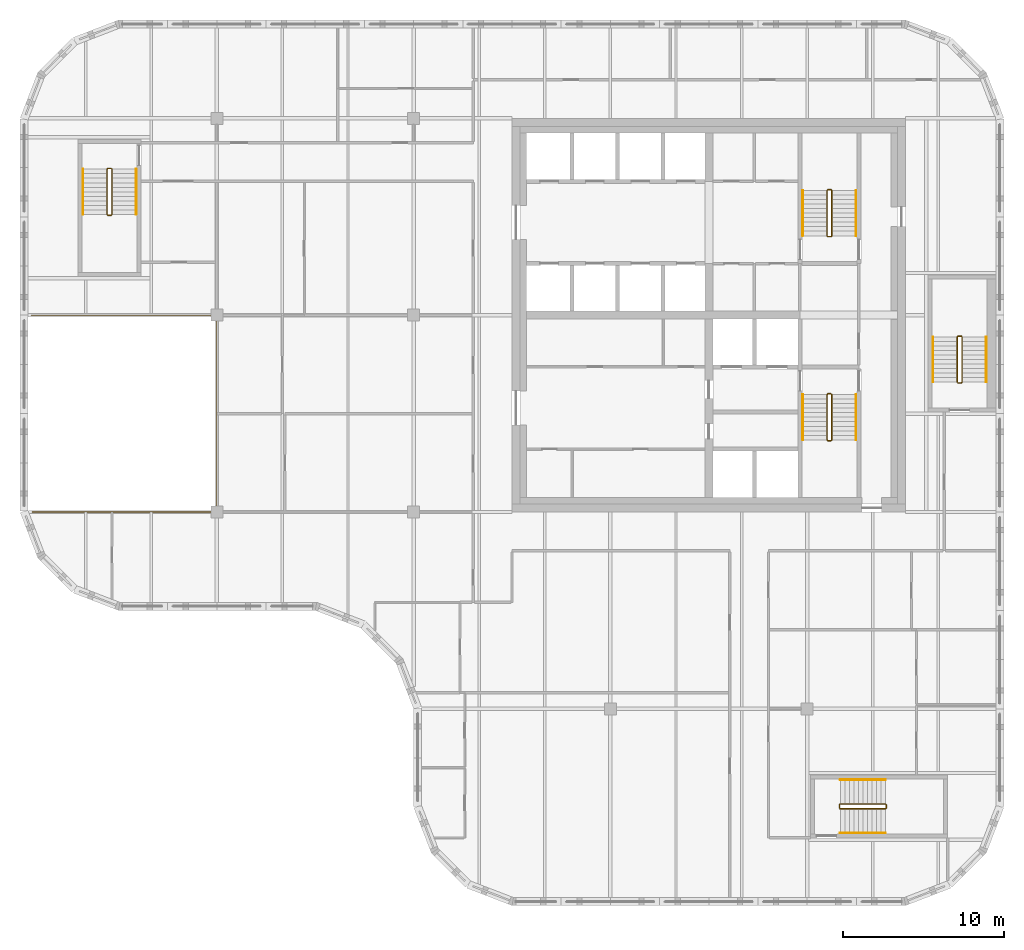
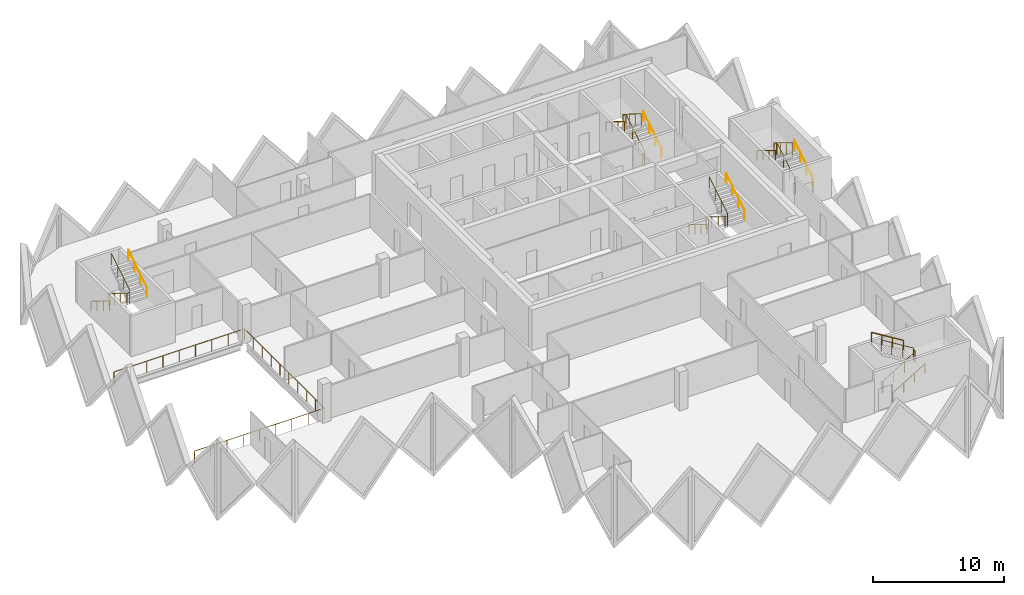
# One storey, part 12 of 12: 16 railings.
"""IFC4 building model written with IfcOpenShell, lengths in metres."""

from ifc_helpers import new_model, si_unit, direction, frame, origin, origin_2d, place, context, subcontext, project, spatial, circle, extrude, material, type_object, element, save


model = new_model("IFC4")

# Units and contexts
model_context = context("Model", 3, precision=1e-05, world=origin(), true_north=direction((0.0, 1.0)))
body_context = subcontext(model_context, "Body", "Model", "MODEL_VIEW")
ifc_project = project(units=[si_unit("LENGTHUNIT", "METRE"), si_unit("AREAUNIT", "SQUARE_METRE"), si_unit("VOLUMEUNIT", "CUBIC_METRE"), si_unit("PLANEANGLEUNIT", "RADIAN"), si_unit("MASSUNIT", "GRAM", prefix="KILO")], contexts=[model_context])

# Site, building, storey
site_placement = place(None, origin())
site = spatial("IfcSite", under=ifc_project, at=site_placement, CompositionType="ELEMENT")
building_placement = place(site_placement, origin())
building = spatial("IfcBuilding", under=site, at=building_placement, Name="Tessera Gate Towers", CompositionType="ELEMENT")
storey_placement = place(building_placement, frame((0.0, 0.0, 213.10009765625)))
storey = spatial("IfcBuildingStorey", under=building, at=storey_placement, Name="L53", CompositionType="ELEMENT", Elevation=213.10009765625)

# Railings
ifc_material_1 = material(Name="Toughened glass with stainless steel handrail", Category="steel")
railing_type_1 = type_object("IfcRailingType", Name="GUARD 1100 GLASS BALUSTRADE", PredefinedType="GUARDRAIL", material=ifc_material_1)
railing_1_placement = place(storey_placement, frame((0.750244140625, 24.39990234375, 0.0)))
element("IfcRailing", 1, at=railing_1_placement, inside=storey, type_object=railing_type_1, Name="Guard", PredefinedType="GUARDRAIL", context=body_context, shape_type="SweptSolid", body=[
    extrude(circle(Radius=0.02490234375, at=origin_2d()), frame((0.0, 0.0, 1.0751953125), z_axis=(1.0, 0.0, 0.0), x_axis=(0.0, 1.0, 0.0)), (0.0, 0.0, 1.0), 11.44970703125),
    extrude(circle(Radius=0.02490234375, at=origin_2d()), frame((11.44970703125, 0.0, 1.0751953125), z_axis=(0.0, 1.0, 0.0), x_axis=(-1.0, 0.0, 0.0)), (0.0, 0.0, 1.0), 12.2001953125),
    extrude(circle(Radius=0.02490234375, at=origin_2d()), frame((11.44970703125, 12.2001953125, 1.0751953125), z_axis=(-1.0, 0.0, 0.0), x_axis=(0.0, -1.0, 0.0)), (0.0, 0.0, 1.0), 11.5),
    extrude(circle(Radius=0.02490234375, at=origin_2d()), origin(), (0.0, 0.0, 1.0), 1.050048828125),
    extrude(circle(Radius=0.02490234375, at=origin_2d()), frame((1.43115234375, 0.0, 0.0)), (0.0, 0.0, 1.0), 1.050048828125),
    extrude(circle(Radius=0.02490234375, at=origin_2d()), frame((2.8623046875, 0.0, 0.0)), (0.0, 0.0, 1.0), 1.050048828125),
    extrude(circle(Radius=0.02490234375, at=origin_2d()), frame((4.293701171875, 0.0, 0.0)), (0.0, 0.0, 1.0), 1.050048828125),
    extrude(circle(Radius=0.02490234375, at=origin_2d()), frame((5.724853515625, 0.0, 0.0)), (0.0, 0.0, 1.0), 1.050048828125),
    extrude(circle(Radius=0.02490234375, at=origin_2d()), frame((7.156005859375, 0.0, 0.0)), (0.0, 0.0, 1.0), 1.050048828125),
    extrude(circle(Radius=0.02490234375, at=origin_2d()), frame((8.58740234375, 0.0, 0.0)), (0.0, 0.0, 1.0), 1.050048828125),
    extrude(circle(Radius=0.02490234375, at=origin_2d()), frame((10.0185546875, 0.0, 0.0)), (0.0, 0.0, 1.0), 1.050048828125),
    extrude(circle(Radius=0.02490234375, at=origin_2d()), frame((11.44970703125, 0.0, 0.0)), (0.0, 0.0, 1.0), 1.050048828125),
    extrude(circle(Radius=0.02490234375, at=origin_2d()), frame((11.44970703125, 1.35546875, 0.0)), (0.0, 0.0, 1.0), 1.050048828125),
    extrude(circle(Radius=0.02490234375, at=origin_2d()), frame((11.44970703125, 2.711181640625, 0.0)), (0.0, 0.0, 1.0), 1.050048828125),
    extrude(circle(Radius=0.02490234375, at=origin_2d()), frame((11.44970703125, 4.066650390625, 0.0)), (0.0, 0.0, 1.0), 1.050048828125),
    extrude(circle(Radius=0.02490234375, at=origin_2d()), frame((11.44970703125, 5.42236328125, 0.0)), (0.0, 0.0, 1.0), 1.050048828125),
    extrude(circle(Radius=0.02490234375, at=origin_2d()), frame((11.44970703125, 6.77783203125, 0.0)), (0.0, 0.0, 1.0), 1.050048828125),
    extrude(circle(Radius=0.02490234375, at=origin_2d()), frame((11.44970703125, 8.133544921875, 0.0)), (0.0, 0.0, 1.0), 1.050048828125),
    extrude(circle(Radius=0.02490234375, at=origin_2d()), frame((11.44970703125, 9.489013671875, 0.0)), (0.0, 0.0, 1.0), 1.050048828125),
    extrude(circle(Radius=0.02490234375, at=origin_2d()), frame((11.44970703125, 10.8447265625, 0.0)), (0.0, 0.0, 1.0), 1.050048828125),
    extrude(circle(Radius=0.02490234375, at=origin_2d()), frame((11.44970703125, 12.2001953125, 0.0)), (0.0, 0.0, 1.0), 1.050048828125),
    extrude(circle(Radius=0.02490234375, at=origin_2d()), frame((10.01220703125, 12.2001953125, 0.0)), (0.0, 0.0, 1.0), 1.050048828125),
    extrude(circle(Radius=0.02490234375, at=origin_2d()), frame((8.57470703125, 12.2001953125, 0.0)), (0.0, 0.0, 1.0), 1.050048828125),
    extrude(circle(Radius=0.02490234375, at=origin_2d()), frame((7.13720703125, 12.2001953125, 0.0)), (0.0, 0.0, 1.0), 1.050048828125),
    extrude(circle(Radius=0.02490234375, at=origin_2d()), frame((5.69970703125, 12.2001953125, 0.0)), (0.0, 0.0, 1.0), 1.050048828125),
    extrude(circle(Radius=0.02490234375, at=origin_2d()), frame((4.26220703125, 12.2001953125, 0.0)), (0.0, 0.0, 1.0), 1.050048828125),
    extrude(circle(Radius=0.02490234375, at=origin_2d()), frame((2.82470703125, 12.2001953125, 0.0)), (0.0, 0.0, 1.0), 1.050048828125),
    extrude(circle(Radius=0.02490234375, at=origin_2d()), frame((1.38720703125, 12.2001953125, 0.0)), (0.0, 0.0, 1.0), 1.050048828125),
    extrude(circle(Radius=0.02490234375, at=origin_2d()), frame((-0.05029296875, 12.2001953125, 0.0)), (0.0, 0.0, 1.0), 1.050048828125),
])
ifc_material_2 = material(Name="Steel 350W", Category="steel")
railing_type_2 = type_object("IfcRailingType", Name="STAIR GUARD 1100", PredefinedType="GUARDRAIL", material=ifc_material_2)
railing_2_placement = place(storey_placement, frame((50.27490234375, 31.72509765625, 0.0)))
element("IfcRailing", 2, at=railing_2_placement, inside=storey, type_object=railing_type_2, Name="L53 ST1 stair guard 1", PredefinedType="GUARDRAIL", context=body_context, shape_type="SweptSolid", body=[
    extrude(circle(Radius=0.02392578125, at=origin_2d()), frame((0.0, 0.0, 1.076171875), z_axis=(-1.0, 0.0, 0.0), x_axis=(0.0, -1.0, 0.0)), (0.0, 0.0, 1.0), 0.199951171875),
    extrude(circle(Radius=0.02392578125, at=origin_2d()), frame((-0.199951171875, 0.0, 1.076171875), z_axis=(-0.268277960024, -0.268277960024, 0.925231793839), x_axis=(0.707106781187, -0.707106781187, 0.0)), (0.0, 0.0, 1.0), 0.1865234375),
    extrude(circle(Radius=0.02392578125, at=origin_2d()), frame((-0.25, -0.050048828125, 1.24853515625), z_axis=(0.0, -0.851089632645, 0.525020415988), x_axis=(1.0, 0.0, 0.0)), (0.0, 0.0, 1.0), 3.2900390625),
    extrude(circle(Radius=0.02392578125, at=origin_2d()), frame((-0.25, -2.85009765625, 2.97607421875), z_axis=(0.707106781187, -0.707106781187, 0.0), x_axis=(0.707106781187, 0.707106781187, 0.0)), (0.0, 0.0, 1.0), 0.07080078125),
    extrude(circle(Radius=0.02392578125, at=origin_2d()), frame((-0.199951171875, -2.900146484375, 2.97607421875), z_axis=(1.0, 0.0, 0.0), x_axis=(0.0, 1.0, 0.0)), (0.0, 0.0, 1.0), 0.199951171875),
    extrude(circle(Radius=0.02392578125, at=origin_2d()), frame((0.0, -2.900146484375, 2.97607421875), z_axis=(0.268277960024, 0.268277960024, 0.925231793839), x_axis=(-0.707106781187, 0.707106781187, 0.0)), (0.0, 0.0, 1.0), 0.1865234375),
    extrude(circle(Radius=0.02392578125, at=origin_2d()), frame((0.050048828125, -2.85009765625, 3.1484375), z_axis=(0.0, 0.851089632645, 0.525020415988), x_axis=(-1.0, 0.0, 0.0)), (0.0, 0.0, 1.0), 3.2900390625),
    extrude(circle(Radius=0.02099609375, at=origin_2d()), origin(), (0.0, 0.0, 1.0), 1.052001953125),
    extrude(circle(Radius=0.02099609375, at=origin_2d()), frame((-0.199951171875, 0.0, 0.0)), (0.0, 0.0, 1.0), 1.052001953125),
    extrude(circle(Radius=0.02099609375, at=origin_2d()), frame((-0.25, -0.050048828125, 0.172607421875)), (0.0, 0.0, 1.0), 1.052001953125),
    extrude(circle(Radius=0.02099609375, at=origin_2d()), frame((-0.25, -0.9833984375, 0.748291015625)), (0.0, 0.0, 1.0), 1.052001953125),
    extrude(circle(Radius=0.02099609375, at=origin_2d()), frame((-0.25, -1.916748046875, 1.32421875)), (0.0, 0.0, 1.0), 1.052001953125),
    extrude(circle(Radius=0.02099609375, at=origin_2d()), frame((-0.25, -2.85009765625, 1.89990234375)), (0.0, 0.0, 1.0), 1.052001953125),
    extrude(circle(Radius=0.02099609375, at=origin_2d()), frame((-0.199951171875, -2.900146484375, 1.89990234375)), (0.0, 0.0, 1.0), 1.052001953125),
    extrude(circle(Radius=0.02099609375, at=origin_2d()), frame((0.0, -2.900146484375, 1.89990234375)), (0.0, 0.0, 1.0), 1.052001953125),
    extrude(circle(Radius=0.02099609375, at=origin_2d()), frame((0.050048828125, -2.85009765625, 2.072509765625)), (0.0, 0.0, 1.0), 1.052001953125),
    extrude(circle(Radius=0.02099609375, at=origin_2d()), frame((0.050048828125, -1.916748046875, 2.648193359375)), (0.0, 0.0, 1.0), 1.052001953125),
    extrude(circle(Radius=0.02099609375, at=origin_2d()), frame((0.050048828125, -0.9833984375, 3.22412109375)), (0.0, 0.0, 1.0), 1.052001953125),
    extrude(circle(Radius=0.02099609375, at=origin_2d()), frame((0.050048828125, -0.050048828125, 3.7998046875)), (0.0, 0.0, 1.0), 1.052001953125),
])
railing_3_placement = place(storey_placement, frame((50.074951171875, 41.47509765625, 0.0)))
element("IfcRailing", 3, at=railing_3_placement, inside=storey, type_object=railing_type_2, Name="L53 ST2 stair guard 1", PredefinedType="GUARDRAIL", context=body_context, shape_type="SweptSolid", body=[
    extrude(circle(Radius=0.02392578125, at=origin_2d()), frame((0.0, 0.0, 1.076171875), z_axis=(1.0, 0.0, 0.0), x_axis=(0.0, 1.0, 0.0)), (0.0, 0.0, 1.0), 0.199951171875),
    extrude(circle(Radius=0.02392578125, at=origin_2d()), frame((0.199951171875, 0.0, 1.076171875), z_axis=(0.268371968888, 0.267062837333, 0.925556009775), x_axis=(-0.705375805398, 0.708833529934, 0.0)), (0.0, 0.0, 1.0), 0.1865234375),
    extrude(circle(Radius=0.02392578125, at=origin_2d()), frame((0.25, 0.0498046875, 1.24853515625), z_axis=(0.0, 0.851089632645, 0.525020415988), x_axis=(-1.0, 0.0, 0.0)), (0.0, 0.0, 1.0), 3.2900390625),
    extrude(circle(Radius=0.02392578125, at=origin_2d()), frame((0.25, 2.849853515625, 2.97607421875), z_axis=(-0.707106781187, 0.707106781187, 0.0), x_axis=(-0.707106781187, -0.707106781187, 0.0)), (0.0, 0.0, 1.0), 0.07080078125),
    extrude(circle(Radius=0.02392578125, at=origin_2d()), frame((0.199951171875, 2.89990234375, 2.97607421875), z_axis=(-1.0, 0.0, 0.0), x_axis=(0.0, -1.0, 0.0)), (0.0, 0.0, 1.0), 0.199951171875),
    extrude(circle(Radius=0.02392578125, at=origin_2d()), frame((0.0, 2.89990234375, 2.97607421875), z_axis=(-0.268277960024, -0.268277960024, 0.925231793839), x_axis=(0.707106781187, -0.707106781187, 0.0)), (0.0, 0.0, 1.0), 0.1865234375),
    extrude(circle(Radius=0.02392578125, at=origin_2d()), frame((-0.050048828125, 2.849853515625, 3.1484375), z_axis=(0.0, -0.851089632645, 0.525020415988), x_axis=(1.0, 0.0, 0.0)), (0.0, 0.0, 1.0), 3.2900390625),
    extrude(circle(Radius=0.02099609375, at=origin_2d()), origin(), (0.0, 0.0, 1.0), 1.052001953125),
    extrude(circle(Radius=0.02099609375, at=origin_2d()), frame((0.199951171875, 0.0, 0.0)), (0.0, 0.0, 1.0), 1.052001953125),
    extrude(circle(Radius=0.02099609375, at=origin_2d()), frame((0.25, 0.0498046875, 0.172607421875)), (0.0, 0.0, 1.0), 1.052001953125),
    extrude(circle(Radius=0.02099609375, at=origin_2d()), frame((0.25, 0.983154296875, 0.748291015625)), (0.0, 0.0, 1.0), 1.052001953125),
    extrude(circle(Radius=0.02099609375, at=origin_2d()), frame((0.25, 1.91650390625, 1.32421875)), (0.0, 0.0, 1.0), 1.052001953125),
    extrude(circle(Radius=0.02099609375, at=origin_2d()), frame((0.25, 2.849853515625, 1.89990234375)), (0.0, 0.0, 1.0), 1.052001953125),
    extrude(circle(Radius=0.02099609375, at=origin_2d()), frame((0.199951171875, 2.89990234375, 1.89990234375)), (0.0, 0.0, 1.0), 1.052001953125),
    extrude(circle(Radius=0.02099609375, at=origin_2d()), frame((0.0, 2.89990234375, 1.89990234375)), (0.0, 0.0, 1.0), 1.052001953125),
    extrude(circle(Radius=0.02099609375, at=origin_2d()), frame((-0.050048828125, 2.849853515625, 2.072509765625)), (0.0, 0.0, 1.0), 1.052001953125),
    extrude(circle(Radius=0.02099609375, at=origin_2d()), frame((-0.050048828125, 1.91650390625, 2.648193359375)), (0.0, 0.0, 1.0), 1.052001953125),
    extrude(circle(Radius=0.02099609375, at=origin_2d()), frame((-0.050048828125, 0.983154296875, 3.22412109375)), (0.0, 0.0, 1.0), 1.052001953125),
    extrude(circle(Radius=0.02099609375, at=origin_2d()), frame((-0.050048828125, 0.0498046875, 3.7998046875)), (0.0, 0.0, 1.0), 1.052001953125),
])
railing_4_placement = place(storey_placement, frame((5.64990234375, 45.699951171875, 0.0)))
element("IfcRailing", 4, at=railing_4_placement, inside=storey, type_object=railing_type_2, Name="L53 ST3 stair guard 1", PredefinedType="GUARDRAIL", context=body_context, shape_type="SweptSolid", body=[
    extrude(circle(Radius=0.02392578125, at=origin_2d()), frame((0.0, 0.0, 1.076171875), z_axis=(-1.0, 0.0, 0.0), x_axis=(0.0, -1.0, 0.0)), (0.0, 0.0, 1.0), 0.199951171875),
    extrude(circle(Radius=0.02392578125, at=origin_2d()), frame((-0.199951171875, 0.0, 1.076171875), z_axis=(-0.268277960024, -0.268277960024, 0.925231793839), x_axis=(0.707106781187, -0.707106781187, 0.0)), (0.0, 0.0, 1.0), 0.1865234375),
    extrude(circle(Radius=0.02392578125, at=origin_2d()), frame((-0.25, -0.050048828125, 1.24853515625), z_axis=(0.0, -0.851069175582, 0.525053576669), x_axis=(1.0, 0.0, 0.0)), (0.0, 0.0, 1.0), 3.289794921875),
    extrude(circle(Radius=0.02392578125, at=origin_2d()), frame((-0.25, -2.849853515625, 2.97607421875), z_axis=(0.707106781187, -0.707106781187, 0.0), x_axis=(0.707106781187, 0.707106781187, 0.0)), (0.0, 0.0, 1.0), 0.07080078125),
    extrude(circle(Radius=0.02392578125, at=origin_2d()), frame((-0.199951171875, -2.89990234375, 2.97607421875), z_axis=(1.0, 0.0, 0.0), x_axis=(0.0, 1.0, 0.0)), (0.0, 0.0, 1.0), 0.199951171875),
    extrude(circle(Radius=0.02392578125, at=origin_2d()), frame((0.0, -2.89990234375, 2.97607421875), z_axis=(0.268277960024, 0.268277960024, 0.925231793839), x_axis=(-0.707106781187, 0.707106781187, 0.0)), (0.0, 0.0, 1.0), 0.1865234375),
    extrude(circle(Radius=0.02392578125, at=origin_2d()), frame((0.050048828125, -2.849853515625, 3.1484375), z_axis=(0.0, 0.851069175582, 0.525053576669), x_axis=(-1.0, 0.0, 0.0)), (0.0, 0.0, 1.0), 3.289794921875),
    extrude(circle(Radius=0.02099609375, at=origin_2d()), origin(), (0.0, 0.0, 1.0), 1.052001953125),
    extrude(circle(Radius=0.02099609375, at=origin_2d()), frame((-0.199951171875, 0.0, 0.0)), (0.0, 0.0, 1.0), 1.052001953125),
    extrude(circle(Radius=0.02099609375, at=origin_2d()), frame((-0.25, -0.050048828125, 0.172607421875)), (0.0, 0.0, 1.0), 1.052001953125),
    extrude(circle(Radius=0.02099609375, at=origin_2d()), frame((-0.25, -0.9833984375, 0.748291015625)), (0.0, 0.0, 1.0), 1.052001953125),
    extrude(circle(Radius=0.02099609375, at=origin_2d()), frame((-0.25, -1.91650390625, 1.32421875)), (0.0, 0.0, 1.0), 1.052001953125),
    extrude(circle(Radius=0.02099609375, at=origin_2d()), frame((-0.25, -2.849853515625, 1.89990234375)), (0.0, 0.0, 1.0), 1.052001953125),
    extrude(circle(Radius=0.02099609375, at=origin_2d()), frame((-0.199951171875, -2.89990234375, 1.89990234375)), (0.0, 0.0, 1.0), 1.052001953125),
    extrude(circle(Radius=0.02099609375, at=origin_2d()), frame((0.0, -2.89990234375, 1.89990234375)), (0.0, 0.0, 1.0), 1.052001953125),
    extrude(circle(Radius=0.02099609375, at=origin_2d()), frame((0.050048828125, -2.849853515625, 2.072509765625)), (0.0, 0.0, 1.0), 1.052001953125),
    extrude(circle(Radius=0.02099609375, at=origin_2d()), frame((0.050048828125, -1.91650390625, 2.648193359375)), (0.0, 0.0, 1.0), 1.052001953125),
    extrude(circle(Radius=0.02099609375, at=origin_2d()), frame((0.050048828125, -0.9833984375, 3.22412109375)), (0.0, 0.0, 1.0), 1.052001953125),
    extrude(circle(Radius=0.02099609375, at=origin_2d()), frame((0.050048828125, -0.050048828125, 3.7998046875)), (0.0, 0.0, 1.0), 1.052001953125),
])
railing_5_placement = place(storey_placement, frame((50.800048828125, 6.25, 0.0)))
element("IfcRailing", 5, at=railing_5_placement, inside=storey, type_object=railing_type_2, Name="L53 ST4 stair guard 1", PredefinedType="GUARDRAIL", context=body_context, shape_type="SweptSolid", body=[
    extrude(circle(Radius=0.02392578125, at=origin_2d()), frame((0.0, 0.0, 1.076171875), z_axis=(0.0, -1.0, 0.0), x_axis=(1.0, 0.0, 0.0)), (0.0, 0.0, 1.0), 0.199951171875),
    extrude(circle(Radius=0.02392578125, at=origin_2d()), frame((0.0, -0.199951171875, 1.076171875), z_axis=(0.268277960024, -0.268277960024, 0.925231793839), x_axis=(0.707106781187, 0.707106781187, 0.0)), (0.0, 0.0, 1.0), 0.1865234375),
    extrude(circle(Radius=0.02392578125, at=origin_2d()), frame((0.050048828125, -0.25, 1.24853515625), z_axis=(0.851069175582, 0.0, 0.525053576669), x_axis=(0.0, 1.0, 0.0)), (0.0, 0.0, 1.0), 3.289794921875),
    extrude(circle(Radius=0.02392578125, at=origin_2d()), frame((2.849853515625, -0.25, 2.97607421875), z_axis=(0.707106781187, 0.707106781187, 0.0), x_axis=(-0.707106781187, 0.707106781187, 0.0)), (0.0, 0.0, 1.0), 0.07080078125),
    extrude(circle(Radius=0.02392578125, at=origin_2d()), frame((2.89990234375, -0.199951171875, 2.97607421875), z_axis=(0.0, 1.0, 0.0), x_axis=(-1.0, 0.0, 0.0)), (0.0, 0.0, 1.0), 0.199951171875),
    extrude(circle(Radius=0.02392578125, at=origin_2d()), frame((2.89990234375, 0.0, 2.97607421875), z_axis=(-0.268277960024, 0.268277960024, 0.925231793839), x_axis=(-0.707106781187, -0.707106781187, 0.0)), (0.0, 0.0, 1.0), 0.1865234375),
    extrude(circle(Radius=0.02392578125, at=origin_2d()), frame((2.849853515625, 0.050048828125, 3.1484375), z_axis=(-0.851069175582, 0.0, 0.525053576669), x_axis=(0.0, -1.0, 0.0)), (0.0, 0.0, 1.0), 3.289794921875),
    extrude(circle(Radius=0.02099609375, at=origin_2d()), origin(), (0.0, 0.0, 1.0), 1.052001953125),
    extrude(circle(Radius=0.02099609375, at=origin_2d()), frame((0.0, -0.199951171875, 0.0)), (0.0, 0.0, 1.0), 1.052001953125),
    extrude(circle(Radius=0.02099609375, at=origin_2d()), frame((0.050048828125, -0.25, 0.172607421875)), (0.0, 0.0, 1.0), 1.052001953125),
    extrude(circle(Radius=0.02099609375, at=origin_2d()), frame((0.9833984375, -0.25, 0.748291015625)), (0.0, 0.0, 1.0), 1.052001953125),
    extrude(circle(Radius=0.02099609375, at=origin_2d()), frame((1.91650390625, -0.25, 1.32421875)), (0.0, 0.0, 1.0), 1.052001953125),
    extrude(circle(Radius=0.02099609375, at=origin_2d()), frame((2.849853515625, -0.25, 1.89990234375)), (0.0, 0.0, 1.0), 1.052001953125),
    extrude(circle(Radius=0.02099609375, at=origin_2d()), frame((2.89990234375, -0.199951171875, 1.89990234375)), (0.0, 0.0, 1.0), 1.052001953125),
    extrude(circle(Radius=0.02099609375, at=origin_2d()), frame((2.89990234375, 0.0, 1.89990234375)), (0.0, 0.0, 1.0), 1.052001953125),
    extrude(circle(Radius=0.02099609375, at=origin_2d()), frame((2.849853515625, 0.050048828125, 2.072509765625)), (0.0, 0.0, 1.0), 1.052001953125),
    extrude(circle(Radius=0.02099609375, at=origin_2d()), frame((1.91650390625, 0.050048828125, 2.648193359375)), (0.0, 0.0, 1.0), 1.052001953125),
    extrude(circle(Radius=0.02099609375, at=origin_2d()), frame((0.9833984375, 0.050048828125, 3.22412109375)), (0.0, 0.0, 1.0), 1.052001953125),
    extrude(circle(Radius=0.02099609375, at=origin_2d()), frame((0.050048828125, 0.050048828125, 3.7998046875)), (0.0, 0.0, 1.0), 1.052001953125),
])
railing_6_placement = place(storey_placement, frame((58.14990234375, 32.39990234375, 0.0)))
element("IfcRailing", 6, at=railing_6_placement, inside=storey, type_object=railing_type_2, Name="L53 ST5 stair guard 1", PredefinedType="GUARDRAIL", context=body_context, shape_type="SweptSolid", body=[
    extrude(circle(Radius=0.02392578125, at=origin_2d()), frame((0.0, 0.0, 1.076171875), z_axis=(1.0, 0.0, 0.0), x_axis=(0.0, 1.0, 0.0)), (0.0, 0.0, 1.0), 0.2001953125),
    extrude(circle(Radius=0.02392578125, at=origin_2d()), frame((0.2001953125, 0.0, 1.076171875), z_axis=(0.267062837333, 0.268371968888, 0.925556009775), x_axis=(-0.708833529934, 0.705375805398, 0.0)), (0.0, 0.0, 1.0), 0.1865234375),
    extrude(circle(Radius=0.02392578125, at=origin_2d()), frame((0.25, 0.050048828125, 1.24853515625), z_axis=(0.0, 0.851089632645, 0.525020415988), x_axis=(-1.0, 0.0, 0.0)), (0.0, 0.0, 1.0), 3.2900390625),
    extrude(circle(Radius=0.02392578125, at=origin_2d()), frame((0.25, 2.85009765625, 2.97607421875), z_axis=(-0.705375805398, 0.708833529934, 0.0), x_axis=(-0.708833529934, -0.705375805398, 0.0)), (0.0, 0.0, 1.0), 0.070556640625),
    extrude(circle(Radius=0.02392578125, at=origin_2d()), frame((0.2001953125, 2.900146484375, 2.97607421875), z_axis=(-1.0, 0.0, 0.0), x_axis=(0.0, -1.0, 0.0)), (0.0, 0.0, 1.0), 0.2001953125),
    extrude(circle(Radius=0.02392578125, at=origin_2d()), frame((0.0, 2.900146484375, 2.97607421875), z_axis=(-0.267062837333, -0.268371968888, 0.925556009775), x_axis=(0.708833529934, -0.705375805398, 0.0)), (0.0, 0.0, 1.0), 0.1865234375),
    extrude(circle(Radius=0.02392578125, at=origin_2d()), frame((-0.0498046875, 2.85009765625, 3.1484375), z_axis=(0.0, -0.851089632645, 0.525020415988), x_axis=(1.0, 0.0, 0.0)), (0.0, 0.0, 1.0), 3.2900390625),
    extrude(circle(Radius=0.02099609375, at=origin_2d()), origin(), (0.0, 0.0, 1.0), 1.052001953125),
    extrude(circle(Radius=0.02099609375, at=origin_2d()), frame((0.2001953125, 0.0, 0.0)), (0.0, 0.0, 1.0), 1.052001953125),
    extrude(circle(Radius=0.02099609375, at=origin_2d()), frame((0.25, 0.050048828125, 0.172607421875)), (0.0, 0.0, 1.0), 1.052001953125),
    extrude(circle(Radius=0.02099609375, at=origin_2d()), frame((0.25, 0.9833984375, 0.748291015625)), (0.0, 0.0, 1.0), 1.052001953125),
    extrude(circle(Radius=0.02099609375, at=origin_2d()), frame((0.25, 1.916748046875, 1.32421875)), (0.0, 0.0, 1.0), 1.052001953125),
    extrude(circle(Radius=0.02099609375, at=origin_2d()), frame((0.25, 2.85009765625, 1.89990234375)), (0.0, 0.0, 1.0), 1.052001953125),
    extrude(circle(Radius=0.02099609375, at=origin_2d()), frame((0.2001953125, 2.900146484375, 1.89990234375)), (0.0, 0.0, 1.0), 1.052001953125),
    extrude(circle(Radius=0.02099609375, at=origin_2d()), frame((0.0, 2.900146484375, 1.89990234375)), (0.0, 0.0, 1.0), 1.052001953125),
    extrude(circle(Radius=0.02099609375, at=origin_2d()), frame((-0.0498046875, 2.85009765625, 2.072509765625)), (0.0, 0.0, 1.0), 1.052001953125),
    extrude(circle(Radius=0.02099609375, at=origin_2d()), frame((-0.0498046875, 1.916748046875, 2.648193359375)), (0.0, 0.0, 1.0), 1.052001953125),
    extrude(circle(Radius=0.02099609375, at=origin_2d()), frame((-0.0498046875, 0.9833984375, 3.22412109375)), (0.0, 0.0, 1.0), 1.052001953125),
    extrude(circle(Radius=0.02099609375, at=origin_2d()), frame((-0.0498046875, 0.050048828125, 3.7998046875)), (0.0, 0.0, 1.0), 1.052001953125),
])
ifc_material_3 = material(Name="Steel 350W", Category="steel")
railing_type_3 = type_object("IfcRailingType", Name="STAIR HANDRAIL 900", PredefinedType="HANDRAIL", material=ifc_material_3)
railing_7_placement = place(storey_placement, frame((48.52490234375, 31.675048828125, 0.172607421875)))
element("IfcRailing", 7, at=railing_7_placement, inside=storey, type_object=railing_type_3, Name="L53 ST1 stair handrail 1", PredefinedType="HANDRAIL", context=body_context, shape_type="SweptSolid", body=[
    extrude(circle(Radius=0.02392578125, at=origin_2d()), frame((0.0, 0.0, 0.8759765625), z_axis=(0.0, -0.851089632645, 0.525020415988), x_axis=(1.0, 0.0, 0.0)), (0.0, 0.0, 1.0), 3.2900390625),
    extrude(circle(Radius=0.02099609375, at=origin_2d()), origin(), (0.0, 0.0, 1.0), 0.851806640625),
    extrude(circle(Radius=0.02099609375, at=origin_2d()), frame((0.0, -0.933349609375, 0.57568359375)), (0.0, 0.0, 1.0), 0.851806640625),
    extrude(circle(Radius=0.02099609375, at=origin_2d()), frame((0.0, -1.86669921875, 1.151611328125)), (0.0, 0.0, 1.0), 0.851806640625),
    extrude(circle(Radius=0.02099609375, at=origin_2d()), frame((0.0, -2.800048828125, 1.727294921875)), (0.0, 0.0, 1.0), 0.851806640625),
])
for number, where, name in (
    (8, (51.824951171875, 28.875, 2.072509765625), "L53 ST1 stair handrail 2"),
    (9, (51.824951171875, 41.52490234375, 0.172607421875), "L53 ST2 stair handrail 1"),
):
    element("IfcRailing", number, at=place(storey_placement, frame(where)), inside=storey, type_object=railing_type_3, Name=name, PredefinedType="HANDRAIL", context=body_context, shape_type="SweptSolid", body=[
        extrude(circle(Radius=0.02392578125, at=origin_2d()), frame((0.0, 0.0, 0.8759765625), z_axis=(0.0, 0.851089632645, 0.525020415988), x_axis=(-1.0, 0.0, 0.0)), (0.0, 0.0, 1.0), 3.2900390625),
        extrude(circle(Radius=0.02099609375, at=origin_2d()), origin(), (0.0, 0.0, 1.0), 0.851806640625),
        extrude(circle(Radius=0.02099609375, at=origin_2d()), frame((0.0, 0.933349609375, 0.57568359375)), (0.0, 0.0, 1.0), 0.851806640625),
        extrude(circle(Radius=0.02099609375, at=origin_2d()), frame((0.0, 1.86669921875, 1.151611328125)), (0.0, 0.0, 1.0), 0.851806640625),
        extrude(circle(Radius=0.02099609375, at=origin_2d()), frame((0.0, 2.800048828125, 1.727294921875)), (0.0, 0.0, 1.0), 0.851806640625),
    ])
railing_8_placement = place(storey_placement, frame((48.52490234375, 44.324951171875, 2.072509765625)))
element("IfcRailing", 10, at=railing_8_placement, inside=storey, type_object=railing_type_3, Name="L53 ST2 stair handrail 2", PredefinedType="HANDRAIL", context=body_context, shape_type="SweptSolid", body=[
    extrude(circle(Radius=0.02392578125, at=origin_2d()), frame((0.0, 0.0, 0.8759765625), z_axis=(0.0, -0.851089632645, 0.525020415988), x_axis=(1.0, 0.0, 0.0)), (0.0, 0.0, 1.0), 3.2900390625),
    extrude(circle(Radius=0.02099609375, at=origin_2d()), origin(), (0.0, 0.0, 1.0), 0.851806640625),
    extrude(circle(Radius=0.02099609375, at=origin_2d()), frame((0.0, -0.933349609375, 0.57568359375)), (0.0, 0.0, 1.0), 0.851806640625),
    extrude(circle(Radius=0.02099609375, at=origin_2d()), frame((0.0, -1.86669921875, 1.151611328125)), (0.0, 0.0, 1.0), 0.851806640625),
    extrude(circle(Radius=0.02099609375, at=origin_2d()), frame((0.0, -2.800048828125, 1.727294921875)), (0.0, 0.0, 1.0), 0.851806640625),
])
railing_9_placement = place(storey_placement, frame((3.89990234375, 45.64990234375, 0.172607421875)))
element("IfcRailing", 11, at=railing_9_placement, inside=storey, type_object=railing_type_3, Name="L53 ST3 stair handrail 1", PredefinedType="HANDRAIL", context=body_context, shape_type="SweptSolid", body=[
    extrude(circle(Radius=0.02392578125, at=origin_2d()), frame((0.0, 0.0, 0.8759765625), z_axis=(0.0, -0.851069175582, 0.525053576669), x_axis=(1.0, 0.0, 0.0)), (0.0, 0.0, 1.0), 3.289794921875),
    extrude(circle(Radius=0.02099609375, at=origin_2d()), origin(), (0.0, 0.0, 1.0), 0.851806640625),
    extrude(circle(Radius=0.02099609375, at=origin_2d()), frame((0.0, -0.933349609375, 0.57568359375)), (0.0, 0.0, 1.0), 0.851806640625),
    extrude(circle(Radius=0.02099609375, at=origin_2d()), frame((0.0, -1.866455078125, 1.151611328125)), (0.0, 0.0, 1.0), 0.851806640625),
    extrude(circle(Radius=0.02099609375, at=origin_2d()), frame((0.0, -2.7998046875, 1.727294921875)), (0.0, 0.0, 1.0), 0.851806640625),
])
railing_10_placement = place(storey_placement, frame((7.199951171875, 42.85009765625, 2.072509765625)))
element("IfcRailing", 12, at=railing_10_placement, inside=storey, type_object=railing_type_3, Name="L53 ST3 stair handrail 2", PredefinedType="HANDRAIL", context=body_context, shape_type="SweptSolid", body=[
    extrude(circle(Radius=0.02392578125, at=origin_2d()), frame((0.0, 0.0, 0.8759765625), z_axis=(0.0, 0.851069175582, 0.525053576669), x_axis=(-1.0, 0.0, 0.0)), (0.0, 0.0, 1.0), 3.289794921875),
    extrude(circle(Radius=0.02099609375, at=origin_2d()), origin(), (0.0, 0.0, 1.0), 0.851806640625),
    extrude(circle(Radius=0.02099609375, at=origin_2d()), frame((0.0, 0.933349609375, 0.57568359375)), (0.0, 0.0, 1.0), 0.851806640625),
    extrude(circle(Radius=0.02099609375, at=origin_2d()), frame((0.0, 1.866455078125, 1.151611328125)), (0.0, 0.0, 1.0), 0.851806640625),
    extrude(circle(Radius=0.02099609375, at=origin_2d()), frame((0.0, 2.7998046875, 1.727294921875)), (0.0, 0.0, 1.0), 0.851806640625),
])
railing_11_placement = place(storey_placement, frame((50.85009765625, 4.5, 0.172607421875)))
element("IfcRailing", 13, at=railing_11_placement, inside=storey, type_object=railing_type_3, Name="L53 ST4 stair handrail 1", PredefinedType="HANDRAIL", context=body_context, shape_type="SweptSolid", body=[
    extrude(circle(Radius=0.02392578125, at=origin_2d()), frame((0.0, 0.0, 0.8759765625), z_axis=(0.851069175582, 0.0, 0.525053576669), x_axis=(0.0, 1.0, 0.0)), (0.0, 0.0, 1.0), 3.289794921875),
    extrude(circle(Radius=0.02099609375, at=origin_2d()), origin(), (0.0, 0.0, 1.0), 0.851806640625),
    extrude(circle(Radius=0.02099609375, at=origin_2d()), frame((0.933349609375, 0.0, 0.57568359375)), (0.0, 0.0, 1.0), 0.851806640625),
    extrude(circle(Radius=0.02099609375, at=origin_2d()), frame((1.866455078125, 0.0, 1.151611328125)), (0.0, 0.0, 1.0), 0.851806640625),
    extrude(circle(Radius=0.02099609375, at=origin_2d()), frame((2.7998046875, 0.0, 1.727294921875)), (0.0, 0.0, 1.0), 0.851806640625),
])
railing_12_placement = place(storey_placement, frame((53.64990234375, 7.800048828125, 2.072509765625)))
element("IfcRailing", 14, at=railing_12_placement, inside=storey, type_object=railing_type_3, Name="L53 ST4 stair handrail 2", PredefinedType="HANDRAIL", context=body_context, shape_type="SweptSolid", body=[
    extrude(circle(Radius=0.02392578125, at=origin_2d()), frame((0.0, 0.0, 0.8759765625), z_axis=(-0.851069175582, 0.0, 0.525053576669), x_axis=(0.0, -1.0, 0.0)), (0.0, 0.0, 1.0), 3.289794921875),
    extrude(circle(Radius=0.02099609375, at=origin_2d()), origin(), (0.0, 0.0, 1.0), 0.851806640625),
    extrude(circle(Radius=0.02099609375, at=origin_2d()), frame((-0.933349609375, 0.0, 0.57568359375)), (0.0, 0.0, 1.0), 0.851806640625),
    extrude(circle(Radius=0.02099609375, at=origin_2d()), frame((-1.866455078125, 0.0, 1.151611328125)), (0.0, 0.0, 1.0), 0.851806640625),
    extrude(circle(Radius=0.02099609375, at=origin_2d()), frame((-2.7998046875, 0.0, 1.727294921875)), (0.0, 0.0, 1.0), 0.851806640625),
])
railing_13_placement = place(storey_placement, frame((59.89990234375, 32.449951171875, 0.172607421875)))
element("IfcRailing", 15, at=railing_13_placement, inside=storey, type_object=railing_type_3, Name="L53 ST5 stair handrail 1", PredefinedType="HANDRAIL", context=body_context, shape_type="SweptSolid", body=[
    extrude(circle(Radius=0.02392578125, at=origin_2d()), frame((0.0, 0.0, 0.8759765625), z_axis=(0.0, 0.851089632645, 0.525020415988), x_axis=(-1.0, 0.0, 0.0)), (0.0, 0.0, 1.0), 3.2900390625),
    extrude(circle(Radius=0.02099609375, at=origin_2d()), origin(), (0.0, 0.0, 1.0), 0.851806640625),
    extrude(circle(Radius=0.02099609375, at=origin_2d()), frame((0.0, 0.933349609375, 0.57568359375)), (0.0, 0.0, 1.0), 0.851806640625),
    extrude(circle(Radius=0.02099609375, at=origin_2d()), frame((0.0, 1.86669921875, 1.151611328125)), (0.0, 0.0, 1.0), 0.851806640625),
    extrude(circle(Radius=0.02099609375, at=origin_2d()), frame((0.0, 2.800048828125, 1.727294921875)), (0.0, 0.0, 1.0), 0.851806640625),
])
railing_14_placement = place(storey_placement, frame((56.60009765625, 35.25, 2.072509765625)))
element("IfcRailing", 16, at=railing_14_placement, inside=storey, type_object=railing_type_3, Name="L53 ST5 stair handrail 2", PredefinedType="HANDRAIL", context=body_context, shape_type="SweptSolid", body=[
    extrude(circle(Radius=0.02392578125, at=origin_2d()), frame((0.0, 0.0, 0.8759765625), z_axis=(0.0, -0.851089632645, 0.525020415988), x_axis=(1.0, 0.0, 0.0)), (0.0, 0.0, 1.0), 3.2900390625),
    extrude(circle(Radius=0.02099609375, at=origin_2d()), origin(), (0.0, 0.0, 1.0), 0.851806640625),
    extrude(circle(Radius=0.02099609375, at=origin_2d()), frame((0.0, -0.933349609375, 0.57568359375)), (0.0, 0.0, 1.0), 0.851806640625),
    extrude(circle(Radius=0.02099609375, at=origin_2d()), frame((0.0, -1.86669921875, 1.151611328125)), (0.0, 0.0, 1.0), 0.851806640625),
    extrude(circle(Radius=0.02099609375, at=origin_2d()), frame((0.0, -2.800048828125, 1.727294921875)), (0.0, 0.0, 1.0), 0.851806640625),
])

save(model, "model.ifc")
